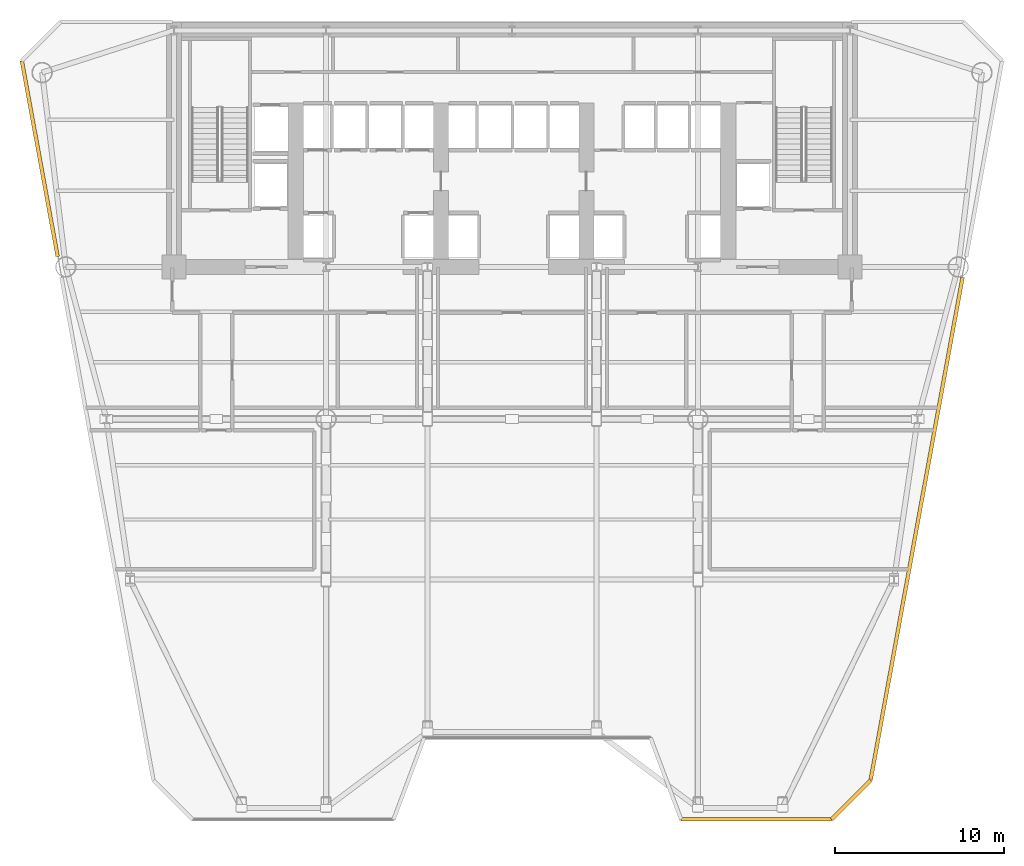
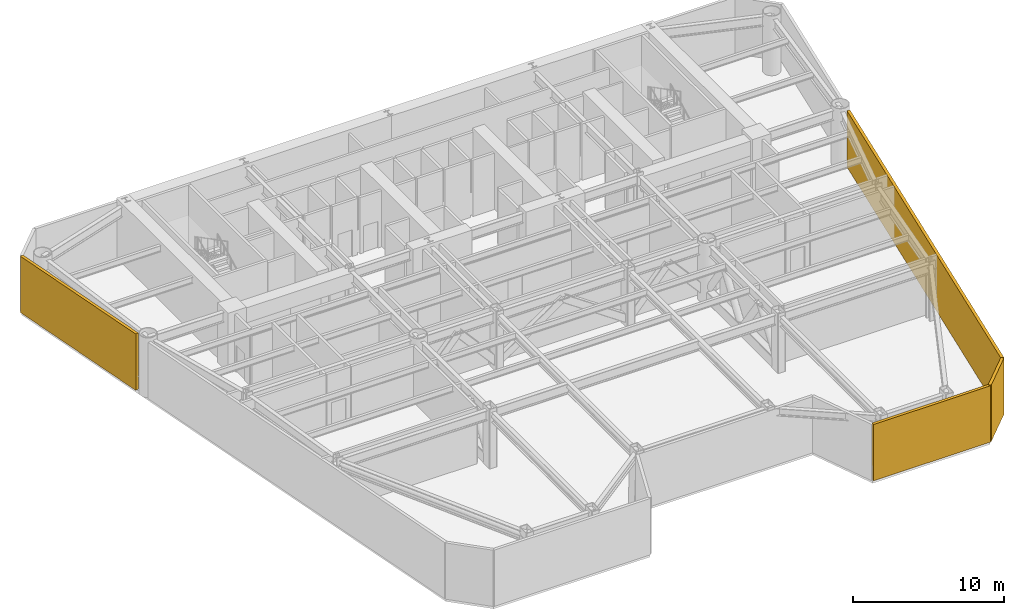
# One storey, part 8 of 10: 4 coverings.
"""IFC4 building model written with IfcOpenShell, lengths in metres."""

from ifc_helpers import new_model, si_unit, direction, frame, origin, origin_2d, place, context, subcontext, project, spatial, rectangle, extrude, source, transform, mapped, material, layer, layer_set, type_object, element, save


model = new_model("IFC4")

# Units and contexts
model_context = context("Model", 3, precision=1e-05, world=origin(), true_north=direction((0.0, 1.0)))
body_context = subcontext(model_context, "Body", "Model", "MODEL_VIEW")
ifc_project = project(units=[si_unit("LENGTHUNIT", "METRE"), si_unit("AREAUNIT", "SQUARE_METRE"), si_unit("VOLUMEUNIT", "CUBIC_METRE"), si_unit("PLANEANGLEUNIT", "RADIAN"), si_unit("MASSUNIT", "GRAM", prefix="KILO")], contexts=[model_context])

# Site, building, storey
site_placement = place(None, origin())
site = spatial("IfcSite", under=ifc_project, at=site_placement, CompositionType="ELEMENT")
building_placement = place(site_placement, origin())
building = spatial("IfcBuilding", under=site, at=building_placement, Name="Vaeldorn Concourse Tower", CompositionType="ELEMENT")
storey_placement = place(building_placement, frame((0.0, 0.0, 83.39990234375)))
storey = spatial("IfcBuildingStorey", under=building, at=storey_placement, Name="L21", CompositionType="ELEMENT", Elevation=83.39990234375)

# Coverings
ifc_material = material(Name="Anodised Bronze Aluminium", Category="aluminium")
ifc_layer = layer(ifc_material, 1.60009765625)
ifc_layer_set = layer_set([ifc_layer], Name="Anodised Bronze Aluminium")
covering_type = type_object("IfcCoveringType", Name="SD-BRONZE-LOUVRE", PredefinedType="USERDEFINED", material=ifc_layer_set)
shared_shape_1 = source(origin(), body_context, "Body", "SweptSolid", [
    extrude(rectangle(XDim=8.916259765625, YDim=0.219970703125, at=origin_2d()), origin(), (0.0, 0.0, 1.0), 4.5400390625),
])
covering_1_placement = place(storey_placement, frame((48.4580078125, 3.8251953125, 0.0), z_axis=(0.0, 0.0, 1.0), x_axis=(1.0, 0.0, 0.0)))
element("IfcCovering", 1, at=covering_1_placement, inside=storey, type_object=covering_type, Name="Refuge Band Bronze Acoustic Louvre L21-05.1", ObjectType="LOUVRE", PredefinedType="USERDEFINED", context=body_context, shape_type="MappedRepresentation", body=[
    mapped(shared_shape_1, transform((0.0, 0.0, 0.0), scale=1.0)),
])
shared_shape_2 = source(origin(), body_context, "Body", "SweptSolid", [
    extrude(rectangle(XDim=3.252685546875, YDim=0.219970703125, at=origin_2d()), origin(), (0.0, 0.0, 1.0), 4.5400390625),
])
covering_2_placement = place(storey_placement, frame((54.066162109375, 4.97509765625, 0.0), z_axis=(0.0, 0.0, 1.0), x_axis=(0.707106781187, 0.707106781187, 0.0)))
element("IfcCovering", 2, at=covering_2_placement, inside=storey, type_object=covering_type, Name="Refuge Band Bronze Acoustic Louvre L21-06.1", ObjectType="LOUVRE", PredefinedType="USERDEFINED", context=body_context, shape_type="MappedRepresentation", body=[
    mapped(shared_shape_2, transform((0.0, 0.0, 0.0), scale=1.0)),
])
shared_shape_3 = source(origin(), body_context, "Body", "SweptSolid", [
    extrude(rectangle(XDim=30.24853515625, YDim=0.219970703125, at=origin_2d()), origin(), (0.0, 0.0, 1.0), 4.5400390625),
])
covering_3_placement = place(storey_placement, frame((57.936279296875, 21.0029296875, 0.0), z_axis=(0.0, 0.0, 1.0), x_axis=(0.17984960762, 0.983694118433, 0.0)))
element("IfcCovering", 3, at=covering_3_placement, inside=storey, type_object=covering_type, Name="Refuge Band Bronze Acoustic Louvre L21-07.1", ObjectType="LOUVRE", PredefinedType="USERDEFINED", context=body_context, shape_type="MappedRepresentation", body=[
    mapped(shared_shape_3, transform((0.0, 0.0, 0.0), scale=1.0)),
])
shared_shape_4 = source(origin(), body_context, "Body", "SweptSolid", [
    extrude(rectangle(XDim=11.7724609375, YDim=0.219970703125, at=origin_2d()), origin(), (0.0, 0.0, 1.0), 4.5400390625),
])
covering_4_placement = place(storey_placement, frame((6.05859375, 42.90966796875, 0.0), z_axis=(0.0, 0.0, 1.0), x_axis=(0.17984960762, -0.983694118433, 0.0)))
element("IfcCovering", 4, at=covering_4_placement, inside=storey, type_object=covering_type, Name="Refuge Band Bronze Acoustic Louvre L21-11.1", ObjectType="LOUVRE", PredefinedType="USERDEFINED", context=body_context, shape_type="MappedRepresentation", body=[
    mapped(shared_shape_4, transform((0.0, 0.0, 0.0), scale=1.0)),
])

save(model, "model.ifc")
